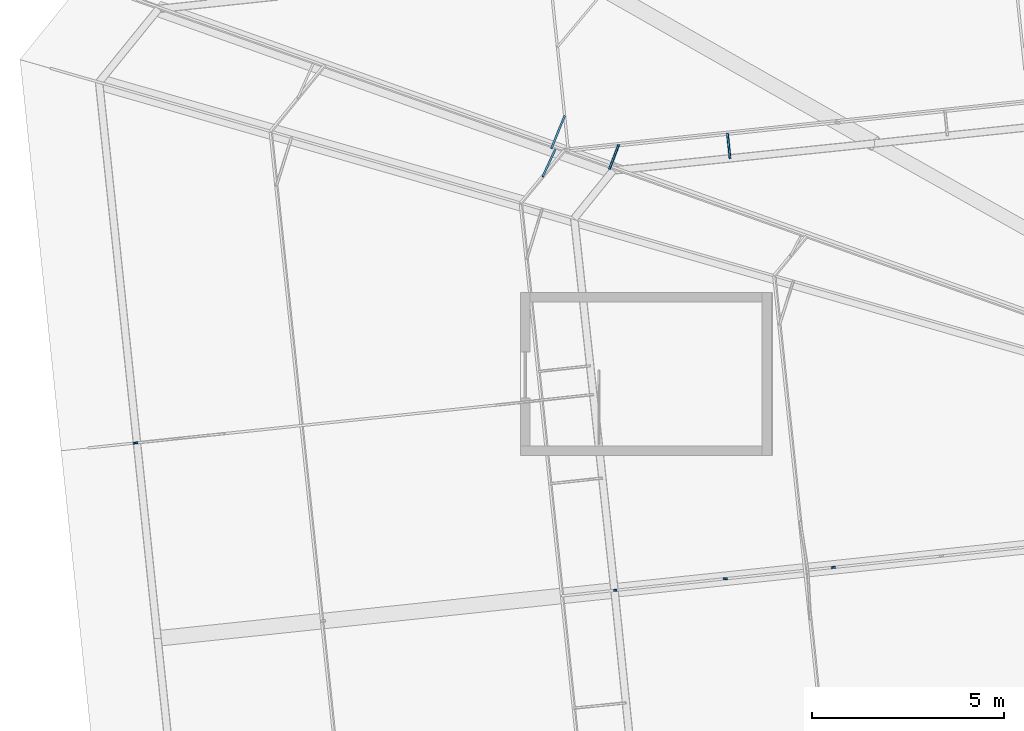
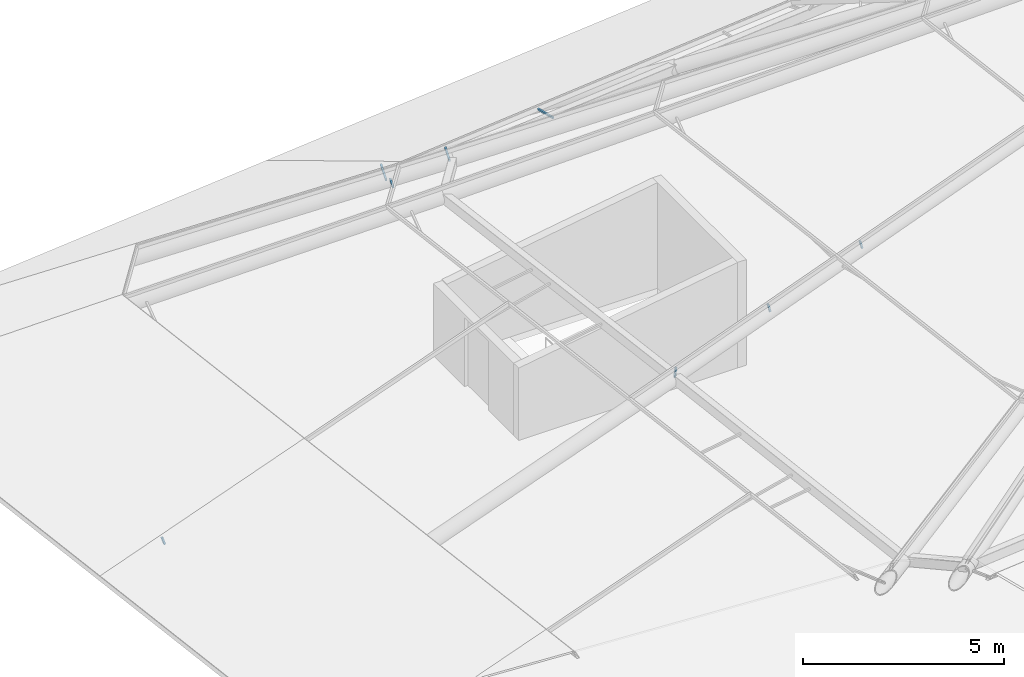
# One storey, part 11 of 20: 8 discrete accessories.
"""IFC4 building model written with IfcOpenShell, lengths in metres."""

from ifc_helpers import new_model, si_unit, direction, frame, origin, origin_2d, place, context, subcontext, project, spatial, rectangle, extrude, material, material_profile, profile_set, type_object, element, save


model = new_model("IFC4")

# Units and contexts
model_context = context("Model", 3, precision=1e-05, world=origin(), true_north=direction((0.0, 1.0)))
body_context = subcontext(model_context, "Body", "Model", "MODEL_VIEW")
ifc_project = project(units=[si_unit("LENGTHUNIT", "METRE"), si_unit("AREAUNIT", "SQUARE_METRE"), si_unit("VOLUMEUNIT", "CUBIC_METRE"), si_unit("PLANEANGLEUNIT", "RADIAN"), si_unit("MASSUNIT", "GRAM", prefix="KILO")], contexts=[model_context])

# Site, building, storey
site_placement = place(None, origin())
site = spatial("IfcSite", under=ifc_project, at=site_placement, CompositionType="ELEMENT")
building_placement = place(site_placement, origin())
building = spatial("IfcBuilding", under=site, at=building_placement, Name="Hakoniwa Tower and Hamabe Station Hall", CompositionType="ELEMENT")
storey_placement = place(building_placement, frame((0.0, 0.0, 285.0)))
storey = spatial("IfcBuildingStorey", under=building, at=storey_placement, Name="Roof", CompositionType="ELEMENT", Elevation=285.0)

# Discrete accessories
ifc_material = material(Name="Stainless steel SUS304", Category="steel")
ifc_material_profile = material_profile(ifc_material, rectangle(XDim=0.050048828125, YDim=0.050048828125, at=origin_2d()), Name="CW-4 GLAZING BRACKET 50X50")
ifc_profile_set = profile_set([ifc_material_profile], Name="Stainless steel SUS304")
discrete_accessory_type = type_object("IfcDiscreteAccessoryType", Name="CW-4 GLAZING BRACKET 50X50", PredefinedType="BRACKET", material=ifc_profile_set)
discrete_accessory_1_placement = place(storey_placement, frame((-25.295654296875, 12.35693359375, 2.616943359375), z_axis=(-0.370115563922, -0.911334587979, 0.180232455722), x_axis=(0.926507025332, -0.376277466785, 0.0)))
element("IfcDiscreteAccessory", 1, at=discrete_accessory_1_placement, inside=storey, type_object=discrete_accessory_type, Name="Glazing bracket", PredefinedType="BRACKET", context=body_context, shape_type="SweptSolid", body=[
    extrude(rectangle(XDim=0.050048828125, YDim=0.050048828125, at=origin_2d()), origin(), (0.0, 0.0, 1.0), 0.93603515625),
])
discrete_accessory_2_placement = place(storey_placement, frame((-25.870361328125, 10.7666015625, 3.104248046875), z_axis=(0.392862720631, 0.848500954761, -0.354549026946), x_axis=(-0.907451329138, 0.420157214915, 0.0)))
element("IfcDiscreteAccessory", 2, at=discrete_accessory_2_placement, inside=storey, type_object=discrete_accessory_type, Name="Glazing bracket", PredefinedType="BRACKET", context=body_context, shape_type="SweptSolid", body=[
    extrude(rectangle(XDim=0.050048828125, YDim=0.050048828125, at=origin_2d()), origin(), (0.0, 0.0, 1.0), 0.828369140625),
])
discrete_accessory_3_placement = place(storey_placement, frame((-23.956298828125, -0.017822265625, 3.48974609375), z_axis=(-0.132751960795, -0.014193605871, -0.991047657006), x_axis=(0.10631231063, -0.994332787656, 0.0)))
element("IfcDiscreteAccessory", 3, at=discrete_accessory_3_placement, inside=storey, type_object=discrete_accessory_type, Name="Glazing bracket", PredefinedType="BRACKET", context=body_context, shape_type="SweptSolid", body=[
    extrude(rectangle(XDim=0.050048828125, YDim=0.050048828125, at=origin_2d()), origin(), (0.0, 0.0, 1.0), 0.29248046875),
])
discrete_accessory_4_placement = place(storey_placement, frame((-21.137939453125, 0.2783203125, 4.24365234375), z_axis=(0.258439267073, 0.027056818574, -0.965648524984), x_axis=(-0.104124062019, 0.994564316527, 0.0)))
element("IfcDiscreteAccessory", 4, at=discrete_accessory_4_placement, inside=storey, type_object=discrete_accessory_type, Name="Glazing bracket", PredefinedType="BRACKET", context=body_context, shape_type="SweptSolid", body=[
    extrude(rectangle(XDim=0.050048828125, YDim=0.050048828125, at=origin_2d()), origin(), (0.0, 0.0, 1.0), 0.26171875),
])
discrete_accessory_5_placement = place(storey_placement, frame((-18.3193359375, 0.574462890625, 4.99755859375), z_axis=(0.257808652938, 0.026935232396, -0.96582047593), x_axis=(-0.103912021641, 0.994586492849, 0.0)))
element("IfcDiscreteAccessory", 5, at=discrete_accessory_5_placement, inside=storey, type_object=discrete_accessory_type, Name="Glazing bracket", PredefinedType="BRACKET", context=body_context, shape_type="SweptSolid", body=[
    extrude(rectangle(XDim=0.050048828125, YDim=0.050048828125, at=origin_2d()), origin(), (0.0, 0.0, 1.0), 0.25390625),
])
discrete_accessory_6_placement = place(storey_placement, frame((-36.53173828125, 3.818603515625, 0.392333984375), z_axis=(0.322037839955, 0.034299888279, -0.946105251703), x_axis=(-0.105909841762, 0.994375736539, 0.0)))
element("IfcDiscreteAccessory", 6, at=discrete_accessory_6_placement, inside=storey, type_object=discrete_accessory_type, Name="Glazing bracket", PredefinedType="BRACKET", context=body_context, shape_type="SweptSolid", body=[
    extrude(rectangle(XDim=0.050048828125, YDim=0.050048828125, at=origin_2d()), origin(), (0.0, 0.0, 1.0), 0.25634765625),
])
discrete_accessory_7_placement = place(storey_placement, frame((-23.884033203125, 11.603515625, 3.106689453125), z_axis=(-0.355880427065, -0.929203795067, 0.099646519578), x_axis=(0.933851668388, -0.357660539406, 0.0)))
element("IfcDiscreteAccessory", 7, at=discrete_accessory_7_placement, inside=storey, type_object=discrete_accessory_type, Name="Glazing bracket", PredefinedType="BRACKET", context=body_context, shape_type="SweptSolid", body=[
    extrude(rectangle(XDim=0.050048828125, YDim=0.050048828125, at=origin_2d()), origin(), (0.0, 0.0, 1.0), 0.68603515625),
])
discrete_accessory_8_placement = place(storey_placement, frame((-21.049560546875, 11.9013671875, 3.106689453125), z_axis=(0.101682074543, -0.984884498194, 0.140225821211), x_axis=(0.994712709507, 0.102696765014, 0.0)))
element("IfcDiscreteAccessory", 8, at=discrete_accessory_8_placement, inside=storey, type_object=discrete_accessory_type, Name="Glazing bracket", PredefinedType="BRACKET", context=body_context, shape_type="SweptSolid", body=[
    extrude(rectangle(XDim=0.050048828125, YDim=0.050048828125, at=origin_2d()), origin(), (0.0, 0.0, 1.0), 0.6650390625),
])

save(model, "model.ifc")
